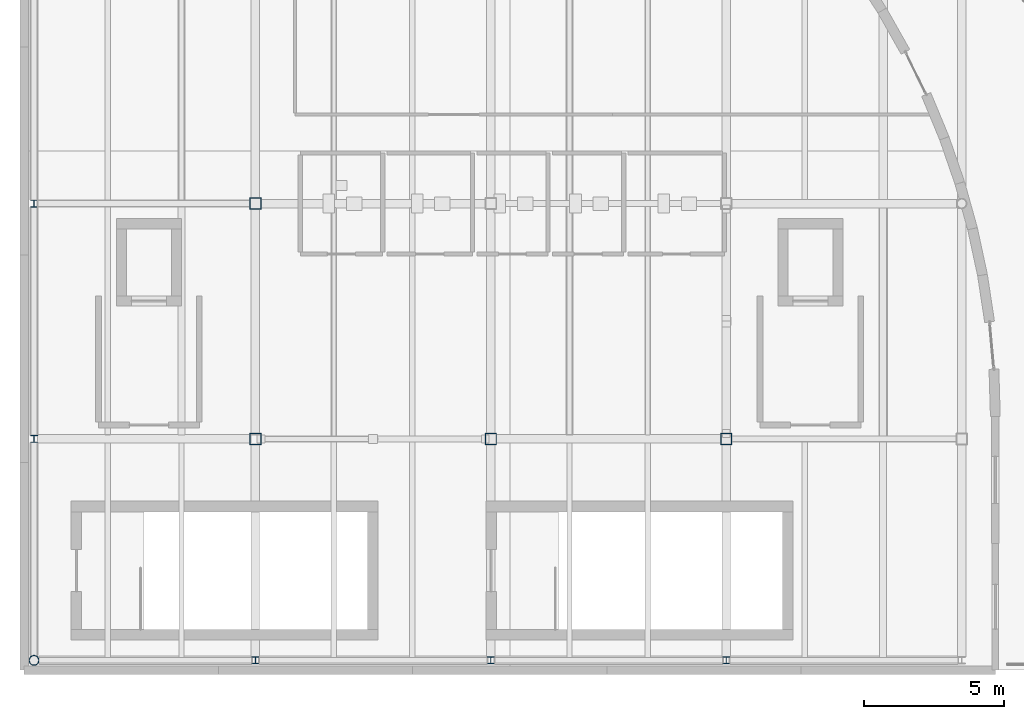
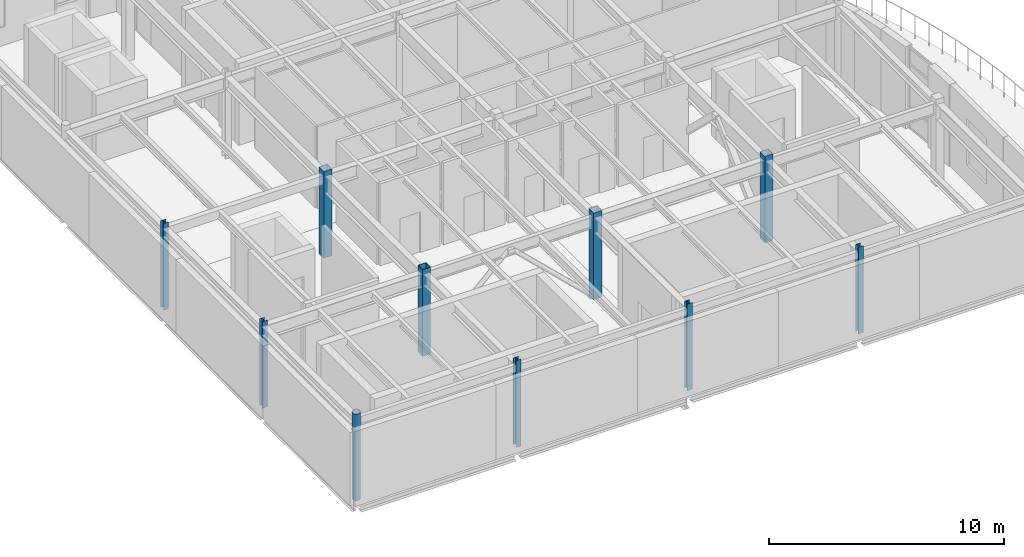
# One storey, part 1 of 26: 10 columns.
"""IFC4 building model written with IfcOpenShell, lengths in metres."""

from ifc_helpers import new_model, si_unit, direction, frame, origin, origin_2d, place, context, subcontext, project, spatial, hollow_rectangle, hollow_circle, i_section, extrude, material, material_profile, profile_set, type_object, element, save


model = new_model("IFC4")

# Units and contexts
model_context = context("Model", 3, precision=1e-05, world=origin(), true_north=direction((0.0, 1.0)))
body_context = subcontext(model_context, "Body", "Model", "MODEL_VIEW")
ifc_project = project(units=[si_unit("LENGTHUNIT", "METRE"), si_unit("AREAUNIT", "SQUARE_METRE"), si_unit("VOLUMEUNIT", "CUBIC_METRE"), si_unit("PLANEANGLEUNIT", "RADIAN"), si_unit("MASSUNIT", "GRAM", prefix="KILO"), si_unit("THERMODYNAMICTEMPERATUREUNIT", "KELVIN")], contexts=[model_context])

# Site, building, storey
site_placement = place(None, origin())
site = spatial("IfcSite", under=ifc_project, at=site_placement, CompositionType="ELEMENT")
building_placement = place(site_placement, origin())
building = spatial("IfcBuilding", under=site, at=building_placement, Name="Lustrewick Department Store", CompositionType="ELEMENT")
storey_placement = place(building_placement, frame((0.0, 0.0, 36.300048828125)))
storey = spatial("IfcBuildingStorey", under=building, at=storey_placement, Name="L08", CompositionType="ELEMENT", Elevation=36.300048828125)

# Columns
ifc_material = material(Name="Structural steel Q355B", Category="steel")
ifc_material_profile_1 = material_profile(ifc_material, hollow_rectangle(XDim=0.39990234375, YDim=0.39990234375, WallThickness=0.01611328125, at=origin_2d()), Name="BOX 400x400x16")
ifc_profile_set_1 = profile_set([ifc_material_profile_1], Name="Structural steel Q355B")
column_type_1 = type_object("IfcColumnType", Name="C08", PredefinedType="COLUMN", material=ifc_profile_set_1)
for number, where, z_axis, x_axis, name in (
    (1, (117.60009765625, 58.800048828125, 0.0), (0.0, 0.0, 1.0), (1.0, 0.0, 0.0), "L08 V4 Column C08"),
    (2, (117.60009765625, 67.199951171875, 0.0), (0.0, 0.0, 1.0), (1.0, 0.0, 0.0), "L08 V4 Column C08"),
    (3, (126.0, 58.800048828125, 0.0), (0.0, 0.0, 1.0), (1.0, 0.0, 0.0), "L08 V4 Column C08"),
    (4, (134.39990234375, 58.800048828125, 0.0), (0.0, 0.0, 1.0), (1.0, 0.0, 0.0), "L08 V4 Column C08"),
):
    element("IfcColumn", number, at=place(storey_placement, frame(where, z_axis=z_axis, x_axis=x_axis)), inside=storey, type_object=column_type_1, Name=name, PredefinedType="COLUMN", context=body_context, shape_type="SweptSolid", body=[
        extrude(hollow_rectangle(XDim=0.39990234375, YDim=0.39990234375, WallThickness=0.01611328125, at=origin_2d()), origin(), (0.0, 0.0, 1.0), 4.5),
    ])
ifc_material_profile_2 = material_profile(ifc_material, hollow_circle(Radius=0.177978515625, WallThickness=0.013916015625, at=origin_2d()), Name="CHS 356x14")
ifc_profile_set_2 = profile_set([ifc_material_profile_2], Name="Structural steel Q355B")
column_type_2 = type_object("IfcColumnType", Name="CE05", PredefinedType="COLUMN", material=ifc_profile_set_2)
column_placement = place(storey_placement, frame((109.699951171875, 50.89990234375, 0.0), z_axis=(0.0, 0.0, 1.0), x_axis=(1.0, 0.0, 0.0)))
element("IfcColumn", 5, at=column_placement, inside=storey, type_object=column_type_2, Name="L08 V4 Column CE05", PredefinedType="COLUMN", context=body_context, shape_type="SweptSolid", body=[
    extrude(hollow_circle(Radius=0.177978515625, WallThickness=0.013916015625, at=origin_2d()), origin(), (0.0, 0.0, 1.0), 4.5),
])
ifc_material_profile_3 = material_profile(ifc_material, i_section(OverallWidth=0.25, OverallDepth=0.25, WebThickness=0.009033203125, FlangeThickness=0.013916015625, FilletRadius=0.01611328125, at=origin_2d()), Name="HW 250x250x9x14")
ifc_profile_set_3 = profile_set([ifc_material_profile_3], Name="Structural steel Q355B")
column_type_3 = type_object("IfcColumnType", Name="CE08", PredefinedType="COLUMN", material=ifc_profile_set_3)
for number, where, z_axis, x_axis, name in (
    (6, (109.699951171875, 58.800048828125, 0.0), (0.0, 0.0, 1.0), (1.0, 0.0, 0.0), "L08 V4 Column CE08"),
    (7, (109.699951171875, 67.199951171875, 0.0), (0.0, 0.0, 1.0), (1.0, 0.0, 0.0), "L08 V4 Column CE08"),
    (8, (117.60009765625, 50.89990234375, 0.0), (0.0, 0.0, 1.0), (1.0, 0.0, 0.0), "L08 V4 Column CE08"),
    (9, (126.0, 50.89990234375, 0.0), (0.0, 0.0, 1.0), (1.0, 0.0, 0.0), "L08 V4 Column CE08"),
    (10, (134.39990234375, 50.89990234375, 0.0), (0.0, 0.0, 1.0), (1.0, 0.0, 0.0), "L08 V4 Column CE08"),
):
    element("IfcColumn", number, at=place(storey_placement, frame(where, z_axis=z_axis, x_axis=x_axis)), inside=storey, type_object=column_type_3, Name=name, PredefinedType="COLUMN", context=body_context, shape_type="SweptSolid", body=[
        extrude(i_section(OverallWidth=0.25, OverallDepth=0.25, WebThickness=0.009033203125, FlangeThickness=0.013916015625, FilletRadius=0.01611328125, at=origin_2d()), origin(), (0.0, 0.0, 1.0), 4.5),
    ])

save(model, "model.ifc")
